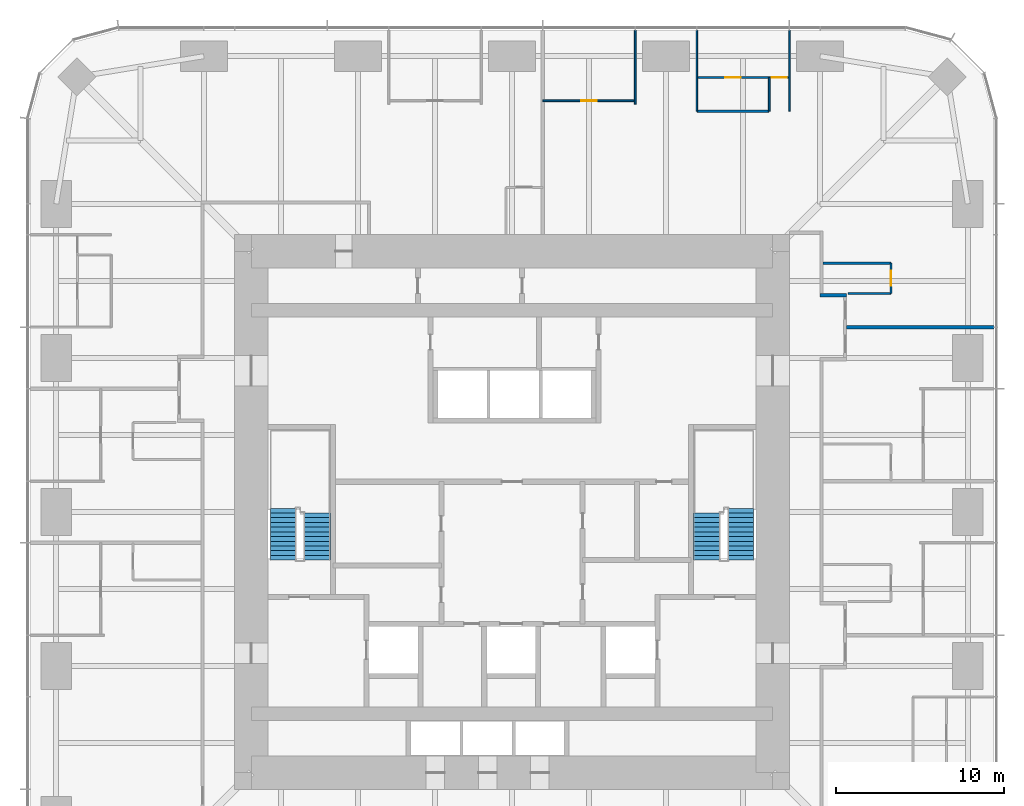
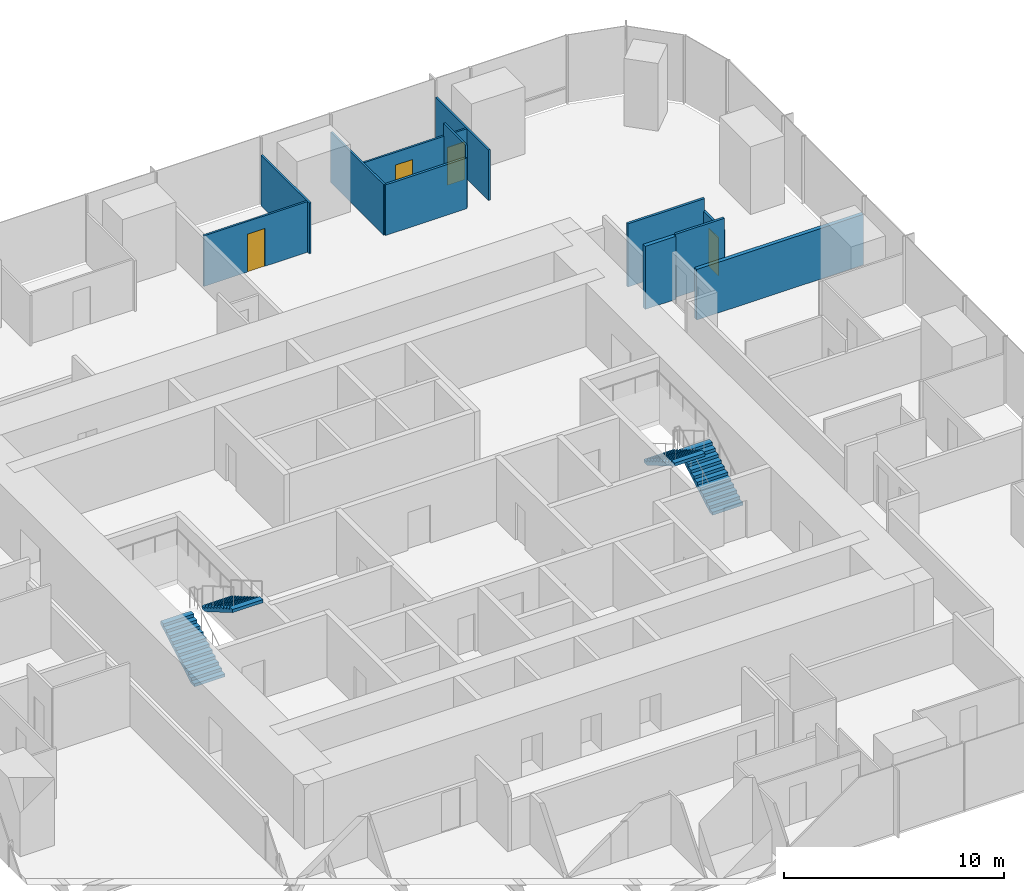
# One storey, part 12 of 13: 12 walls, 4 doors, 4 stair flights, 4 openings, 2 elements without a shape of their own.
"""IFC4 building model written with IfcOpenShell, lengths in metres."""

from ifc_helpers import new_model, si_unit, direction, frame, frame_2d, origin, place, context, subcontext, project, spatial, polyline, rectangle, outline, extrude, material, layer, layer_set, type_object, element, fill, aggregate, save


model = new_model("IFC4")

# Units and contexts
model_context = context("Model", 3, precision=1e-05, world=origin(), true_north=direction((0.0, 1.0)))
body_context = subcontext(model_context, "Body", "Model", "MODEL_VIEW")
ifc_project = project(units=[si_unit("LENGTHUNIT", "METRE"), si_unit("AREAUNIT", "SQUARE_METRE"), si_unit("VOLUMEUNIT", "CUBIC_METRE"), si_unit("PLANEANGLEUNIT", "RADIAN"), si_unit("MASSUNIT", "GRAM", prefix="KILO")], contexts=[model_context])

# Site, building, storey
site_placement = place(None, origin())
site = spatial("IfcSite", under=ifc_project, at=site_placement, CompositionType="ELEMENT")
building_placement = place(site_placement, origin())
building = spatial("IfcBuilding", under=site, at=building_placement, Name="Khuree Lantern Residences", CompositionType="ELEMENT")
storey_placement = place(building_placement, frame((0.0, 0.0, 141.0)))
storey = spatial("IfcBuildingStorey", under=building, at=storey_placement, Name="L35", CompositionType="ELEMENT", Elevation=141.0)

# Wall
ifc_material_1 = material(Name="Moisture-resistant gypsum board on steel studs", Category="steel")
ifc_layer_1 = layer(ifc_material_1, 0.125)
ifc_layer_set_1 = layer_set([ifc_layer_1], Name="BATHROOM WALL BTW125")
wall_type_1 = type_object("IfcWallType", Name="BATHROOM WALL BTW125", PredefinedType="PARTITIONING", material=ifc_layer_set_1)
wall_1_placement = place(storey_placement, frame((15.2880859375, 23.829833984375, 0.0), z_axis=(0.0, 0.0, 1.0), x_axis=(-1.0, 0.0, 0.0)))
element("IfcWall", 1, at=wall_1_placement, inside=storey, type_object=wall_type_1, Name="L35 BATHROOM WALL 03", PredefinedType="PARTITIONING", context=body_context, shape_type="SweptSolid", body=[
    extrude(rectangle(XDim=4.296142578125, YDim=0.125, at=frame_2d((2.14794921875, 0.0))), origin(), (0.0, 0.0, 1.0), 2.81005859375),
])

# Wall, opening, door
wall_2_placement = place(storey_placement, frame((22.52978515625, 12.991943359375, 0.0), z_axis=(0.0, 0.0, 1.0), x_axis=(0.0, 1.0, 0.0)))
wall_2 = element("IfcWall", 2, at=wall_2_placement, inside=storey, type_object=wall_type_1, Name="L35 BATHROOM WALL 03", PredefinedType="PARTITIONING", context=body_context, shape_type="SweptSolid", body=[
    extrude(rectangle(XDim=1.800048828125, YDim=0.125, at=frame_2d((0.89990234375, 0.0))), origin(), (0.0, 0.0, 1.0), 2.81005859375),
])
opening_1_placement = place(wall_2_placement, frame((0.449951171875, 0.0, 0.0)))
opening_1 = element("IfcOpeningElement", 3, at=opening_1_placement, cuts=wall_2, Name="Opening 35-035", PredefinedType="OPENING", context=body_context, shape_type="SweptSolid", body=[
    extrude(rectangle(XDim=0.89990234375, YDim=2.10009765625, at=frame_2d((0.449951171875, 1.050048828125))), frame((0.0, 0.072509765625, 0.0), z_axis=(0.0, -1.0, 0.0), x_axis=(1.0, 0.0, 0.0)), (0.0, 0.0, 1.0), 0.14501953125),
])
ifc_material_2 = material(Name="Timber door leaf in hardwood frame", Category="wood")
door_type_1 = type_object("IfcDoorType", Name="BATHROOM DOOR 900X2100", OperationType="SINGLE_SWING_LEFT", PredefinedType="DOOR", material=ifc_material_2)
door_1_placement = place(opening_1_placement, origin())
door_1 = element("IfcDoor", 4, at=door_1_placement, inside=storey, type_object=door_type_1, Name="Bathroom door 35-035", OperationType="SINGLE_SWING_LEFT", OverallHeight=2.10009765625, OverallWidth=0.89990234375, PredefinedType="DOOR", context=body_context, shape_type="SweptSolid", body=[
    extrude(rectangle(XDim=0.89990234375, YDim=2.10009765625, at=frame_2d((0.449951171875, 1.050048828125))), frame((0.0, 0.02490234375, 0.0), z_axis=(0.0, -1.0, 0.0), x_axis=(1.0, 0.0, 0.0)), (0.0, 0.0, 1.0), 0.050048828125),
])
fill(opening_1, door_1)

# Walls
wall_3_placement = place(storey_placement, frame((19.969970703125, 12.991943359375, 0.0), z_axis=(0.0, 0.0, 1.0), x_axis=(1.0, 0.0, 0.0)))
element("IfcWall", 5, at=wall_3_placement, inside=storey, type_object=wall_type_1, Name="L35 BATHROOM WALL 03", PredefinedType="PARTITIONING", context=body_context, shape_type="SweptSolid", body=[
    extrude(rectangle(XDim=2.559814453125, YDim=0.125, at=frame_2d((1.27978515625, 0.0))), origin(), (0.0, 0.0, 1.0), 3.5),
])
wall_4_placement = place(storey_placement, frame((18.5, 14.7919921875, 0.0), z_axis=(0.0, 0.0, 1.0), x_axis=(1.0, 0.0, 0.0)))
element("IfcWall", 6, at=wall_4_placement, inside=storey, type_object=wall_type_1, Name="L35 BATHROOM WALL 03", PredefinedType="PARTITIONING", context=body_context, shape_type="SweptSolid", body=[
    extrude(rectangle(XDim=4.02978515625, YDim=0.125, at=frame_2d((2.014892578125, 0.0))), origin(), (0.0, 0.0, 1.0), 3.5),
])
ifc_material_3 = material(Name="Gypsum board on steel studs", Category="steel")
ifc_layer_2 = layer(ifc_material_3, 0.199951171875)
ifc_layer_set_2 = layer_set([ifc_layer_2], Name="CORRIDOR WALL CRW200 EI 60")
wall_type_2 = type_object("IfcWallType", Name="CORRIDOR WALL CRW200 EI 60", PredefinedType="PARTITIONING", material=ifc_layer_set_2)
wall_5_placement = place(storey_placement, frame((18.300048828125, 12.89208984375, 0.0), z_axis=(0.0, 0.0, 1.0), x_axis=(1.0, 0.0, 0.0)))
element("IfcWall", 7, at=wall_5_placement, inside=storey, type_object=wall_type_2, Name="L35 CORRIDOR ALCOVE WALL EAST", PredefinedType="PARTITIONING", context=body_context, shape_type="SweptSolid", body=[
    extrude(rectangle(XDim=1.599853515625, YDim=0.199951171875, at=frame_2d((0.7998046875, 0.0))), origin(), (0.0, 0.0, 1.0), 3.5),
])
ifc_layer_3 = layer(ifc_material_3, 0.199951171875)
ifc_layer_set_3 = layer_set([ifc_layer_3], Name="DEMISING WALL DMW200 EI 90")
wall_type_3 = type_object("IfcWallType", Name="DEMISING WALL DMW200 EI 90", PredefinedType="PARTITIONING", material=ifc_layer_set_3)
wall_6_placement = place(storey_placement, frame((19.89990234375, 10.991943359375, 0.0), z_axis=(0.0, 0.0, 1.0), x_axis=(1.0, 0.0, 0.0)))
element("IfcWall", 8, at=wall_6_placement, inside=storey, type_object=wall_type_3, Name="L35 DEMISING WALL 03", PredefinedType="PARTITIONING", context=body_context, shape_type="SweptSolid", body=[
    extrude(rectangle(XDim=8.75, YDim=0.199951171875, at=frame_2d((4.375, 0.0))), origin(), (0.0, 0.0, 1.0), 2.81005859375),
])
ifc_layer_4 = layer(ifc_material_3, 0.10009765625)
ifc_layer_set_4 = layer_set([ifc_layer_4], Name="PARTITION PT100")
wall_type_4 = type_object("IfcWallType", Name="PARTITION PT100", PredefinedType="PARTITIONING", material=ifc_layer_set_4)
for number, where, z_axis, x_axis, name in (
    (9, (16.488037109375, 23.829833984375, 0.0), (0.0, 0.0, 1.0), (0.0, 1.0, 0.0), "L35 PARTITION 03"),
    (10, (10.991943359375, 23.829833984375, 0.0), (0.0, 0.0, 1.0), (0.0, 1.0, 0.0), "L35 PARTITION 03"),
):
    element("IfcWall", number, at=place(storey_placement, frame(where, z_axis=z_axis, x_axis=x_axis)), inside=storey, type_object=wall_type_4, Name=name, PredefinedType="PARTITIONING", context=body_context, shape_type="SweptSolid", body=[
        extrude(rectangle(XDim=4.820068359375, YDim=0.10009765625, at=frame_2d((2.41015625, 0.0))), origin(), (0.0, 0.0, 1.0), 2.81005859375),
    ])
wall_7_placement = place(storey_placement, frame((7.327880859375, 24.25, 0.0), z_axis=(0.0, 0.0, 1.0), x_axis=(0.0, 1.0, 0.0)))
element("IfcWall", 11, at=wall_7_placement, inside=storey, type_object=wall_type_4, Name="L35 PARTITION 03", PredefinedType="PARTITIONING", context=body_context, shape_type="SweptSolid", body=[
    extrude(rectangle(XDim=4.39990234375, YDim=0.10009765625, at=frame_2d((2.199951171875, 0.0))), origin(), (0.0, 0.0, 1.0), 2.81005859375),
])

# Wall, openings, doors
wall_8_placement = place(storey_placement, frame((16.488037109375, 25.829833984375, 0.0), z_axis=(0.0, 0.0, 1.0), x_axis=(-1.0, 0.0, 0.0)))
wall_8 = element("IfcWall", 12, at=wall_8_placement, inside=storey, type_object=wall_type_4, Name="L35 PARTITION 03", PredefinedType="PARTITIONING", context=body_context, shape_type="SweptSolid", body=[
    extrude(rectangle(XDim=5.49609375, YDim=0.10009765625, at=frame_2d((2.748046875, 0.0))), origin(), (0.0, 0.0, 1.0), 2.81005859375),
])
opening_2_placement = place(wall_8_placement, frame((0.14990234375, 0.0, 0.0)))
opening_2 = element("IfcOpeningElement", 13, at=opening_2_placement, cuts=wall_8, Name="Opening 35-032", PredefinedType="OPENING", context=body_context, shape_type="SweptSolid", body=[
    extrude(rectangle(XDim=0.89990234375, YDim=2.10009765625, at=frame_2d((0.449951171875, 1.050048828125))), frame((0.0, 0.06005859375, 0.0), z_axis=(0.0, -1.0, 0.0), x_axis=(1.0, 0.0, 0.0)), (0.0, 0.0, 1.0), 0.1201171875),
])
opening_3_placement = place(wall_8_placement, frame((2.89794921875, 0.0, 0.0)))
opening_3 = element("IfcOpeningElement", 14, at=opening_3_placement, cuts=wall_8, Name="Opening 35-033", PredefinedType="OPENING", context=body_context, shape_type="SweptSolid", body=[
    extrude(rectangle(XDim=0.89990234375, YDim=2.10009765625, at=frame_2d((0.449951171875, 1.050048828125))), frame((0.0, 0.06005859375, 0.0), z_axis=(0.0, -1.0, 0.0), x_axis=(1.0, 0.0, 0.0)), (0.0, 0.0, 1.0), 0.1201171875),
])
door_2_placement = place(opening_3_placement, origin())
door_2 = element("IfcDoor", 15, at=door_2_placement, inside=storey, type_object=door_type_1, Name="Bathroom door 35-033", OperationType="SINGLE_SWING_LEFT", OverallHeight=2.10009765625, OverallWidth=0.89990234375, PredefinedType="DOOR", context=body_context, shape_type="SweptSolid", body=[
    extrude(rectangle(XDim=0.89990234375, YDim=2.10009765625, at=frame_2d((0.449951171875, 1.050048828125))), frame((0.0, 0.02490234375, 0.0), z_axis=(0.0, -1.0, 0.0), x_axis=(1.0, 0.0, 0.0)), (0.0, 0.0, 1.0), 0.050048828125),
])
fill(opening_3, door_2)
door_type_2 = type_object("IfcDoorType", Name="BEDROOM DOOR 900X2100", OperationType="SINGLE_SWING_LEFT", PredefinedType="DOOR", material=ifc_material_2)
door_3_placement = place(opening_2_placement, origin())
door_3 = element("IfcDoor", 16, at=door_3_placement, inside=storey, type_object=door_type_2, Name="Bedroom door 35-032", OperationType="SINGLE_SWING_LEFT", OverallHeight=2.10009765625, OverallWidth=0.89990234375, PredefinedType="DOOR", context=body_context, shape_type="SweptSolid", body=[
    extrude(rectangle(XDim=0.89990234375, YDim=2.10009765625, at=frame_2d((0.449951171875, 1.050048828125))), frame((0.0, 0.02490234375, 0.0), z_axis=(0.0, -1.0, 0.0), x_axis=(1.0, 0.0, 0.0)), (0.0, 0.0, 1.0), 0.050048828125),
])
fill(opening_2, door_3)

# Wall
wall_9_placement = place(storey_placement, frame((15.2880859375, 23.829833984375, 0.0), z_axis=(0.0, 0.0, 1.0), x_axis=(0.0, 1.0, 0.0)))
element("IfcWall", 17, at=wall_9_placement, inside=storey, type_object=wall_type_4, Name="L35 PARTITION 03", PredefinedType="PARTITIONING", context=body_context, shape_type="SweptSolid", body=[
    extrude(rectangle(XDim=2.0, YDim=0.10009765625, at=frame_2d((1.0, 0.0))), origin(), (0.0, 0.0, 1.0), 3.5),
])

# Wall, opening, door
wall_10_placement = place(storey_placement, frame((7.327880859375, 24.449951171875, 0.0), z_axis=(0.0, 0.0, 1.0), x_axis=(-1.0, 0.0, 0.0)))
wall_10 = element("IfcWall", 18, at=wall_10_placement, inside=storey, type_object=wall_type_4, Name="L35 PARTITION 03", PredefinedType="PARTITIONING", context=body_context, shape_type="SweptSolid", body=[
    extrude(rectangle(XDim=5.495849609375, YDim=0.10009765625, at=frame_2d((2.748046875, 0.0))), origin(), (0.0, 0.0, 1.0), 2.81005859375),
])
opening_4_placement = place(wall_10_placement, frame((2.298095703125, 0.0, 0.0)))
opening_4 = element("IfcOpeningElement", 19, at=opening_4_placement, cuts=wall_10, Name="Opening 35-034", PredefinedType="OPENING", context=body_context, shape_type="SweptSolid", body=[
    extrude(rectangle(XDim=0.89990234375, YDim=2.10009765625, at=frame_2d((0.449951171875, 1.050048828125))), frame((0.0, 0.06005859375, 0.0), z_axis=(0.0, -1.0, 0.0), x_axis=(1.0, 0.0, 0.0)), (0.0, 0.0, 1.0), 0.1201171875),
])
door_type_3 = type_object("IfcDoorType", Name="BEDROOM DOOR 900X2100 RIGHT HAND", OperationType="SINGLE_SWING_RIGHT", PredefinedType="DOOR", material=ifc_material_2)
door_4_placement = place(opening_4_placement, origin())
door_4 = element("IfcDoor", 20, at=door_4_placement, inside=storey, type_object=door_type_3, Name="Bedroom door 35-034", OperationType="SINGLE_SWING_RIGHT", OverallHeight=2.10009765625, OverallWidth=0.89990234375, PredefinedType="DOOR", context=body_context, shape_type="SweptSolid", body=[
    extrude(rectangle(XDim=0.89990234375, YDim=2.10009765625, at=frame_2d((0.449951171875, 1.050048828125))), frame((0.0, 0.02490234375, 0.0), z_axis=(0.0, -1.0, 0.0), x_axis=(1.0, 0.0, 0.0)), (0.0, 0.0, 1.0), 0.050048828125),
])
fill(opening_4, door_4)

# Stair, stair flights
ifc_material_4 = material(Name="Concrete C40/50", Category="concrete")
stair_type = type_object("IfcStairType", Name="STAIR ST1 HALF TURN 3600", PredefinedType="HALF_TURN_STAIR", material=ifc_material_4)
stair_1_placement = place(storey_placement, origin())
stair_1 = element("IfcStair", 21, at=stair_1_placement, inside=storey, type_object=stair_type, Name="Stair ST1", PredefinedType="HALF_TURN_STAIR")
stair_flight_type = type_object("IfcStairFlightType", Name="STAIR FLIGHT SF1 1600", PredefinedType="STRAIGHT", material=ifc_material_4)
stair_flight_1_placement = place(storey_placement, frame((-13.60009765625, -2.860107421875, 0.0), z_axis=(0.0, 0.0, 1.0), x_axis=(0.0, 1.0, 0.0)))
stair_flight_1 = element("IfcStairFlight", 22, at=stair_flight_1_placement, type_object=stair_flight_type, Name="ST1 flight 1", NumberOfRisers=12, NumberOfTreads=11, PredefinedType="STRAIGHT", RiserHeight=0.163043478, TreadLength=0.28, context=body_context, shape_type="SweptSolid", body=[
    extrude(outline(polyline([(0.0, 0.0), (0.0, 0.1630859375), (0.280029296875, 0.1630859375), (0.280029296875, 0.326171875), (0.56005859375, 0.326171875), (0.56005859375, 0.489013671875), (0.840087890625, 0.489013671875), (0.840087890625, 0.652099609375), (1.1201171875, 0.652099609375), (1.1201171875, 0.815185546875), (1.39990234375, 0.815185546875), (1.39990234375, 0.978271484375), (1.679931640625, 0.978271484375), (1.679931640625, 1.141357421875), (1.9599609375, 1.141357421875), (1.9599609375, 1.304443359375), (2.239990234375, 1.304443359375), (2.239990234375, 1.46728515625), (2.52001953125, 1.46728515625), (2.52001953125, 1.63037109375), (2.800048828125, 1.63037109375), (2.800048828125, 1.79345703125), (3.080078125, 1.79345703125), (3.080078125, 1.95654296875), (3.080078125, 1.6201171875), (0.2978515625, 0.0), (0.0, 0.0)])), frame((0.0, 0.800048828125, 0.0), z_axis=(0.0, -1.0, 0.0), x_axis=(1.0, 0.0, 0.0)), (0.0, 0.0, 1.0), 1.60009765625),
])
stair_flight_2_placement = place(storey_placement, frame((-11.60009765625, -0.06005859375, 1.95654296875), z_axis=(0.0, 0.0, 1.0), x_axis=(0.0, -1.0, 0.0)))
stair_flight_2 = element("IfcStairFlight", 23, at=stair_flight_2_placement, type_object=stair_flight_type, Name="ST1 flight 2", NumberOfRisers=11, NumberOfTreads=10, PredefinedType="STRAIGHT", RiserHeight=0.163043478, TreadLength=0.28, context=body_context, shape_type="SweptSolid", body=[
    extrude(outline(polyline([(0.0, 0.0), (0.0, 0.1630859375), (0.280029296875, 0.1630859375), (0.280029296875, 0.326171875), (0.56005859375, 0.326171875), (0.56005859375, 0.489013671875), (0.840087890625, 0.489013671875), (0.840087890625, 0.652099609375), (1.1201171875, 0.652099609375), (1.1201171875, 0.815185546875), (1.39990234375, 0.815185546875), (1.39990234375, 0.978271484375), (1.679931640625, 0.978271484375), (1.679931640625, 1.141357421875), (1.9599609375, 1.141357421875), (1.9599609375, 1.304443359375), (2.239990234375, 1.304443359375), (2.239990234375, 1.46728515625), (2.52001953125, 1.46728515625), (2.52001953125, 1.63037109375), (2.800048828125, 1.63037109375), (2.800048828125, 1.79345703125), (2.800048828125, 1.45703125), (0.2978515625, 0.0), (0.0, 0.0)])), frame((0.0, 0.800048828125, 0.0), z_axis=(0.0, -1.0, 0.0), x_axis=(1.0, 0.0, 0.0)), (0.0, 0.0, 1.0), 1.60009765625),
])
aggregate(stair_1, [stair_flight_1, stair_flight_2])

stair_2_placement = place(storey_placement, origin())
stair_2 = element("IfcStair", 24, at=stair_2_placement, inside=storey, type_object=stair_type, Name="Stair ST2", PredefinedType="HALF_TURN_STAIR")
stair_flight_3_placement = place(storey_placement, frame((13.60009765625, -2.860107421875, 0.0), z_axis=(0.0, 0.0, 1.0), x_axis=(0.0, 1.0, 0.0)))
stair_flight_3 = element("IfcStairFlight", 25, at=stair_flight_3_placement, type_object=stair_flight_type, Name="ST2 flight 1", NumberOfRisers=12, NumberOfTreads=11, PredefinedType="STRAIGHT", RiserHeight=0.163043478, TreadLength=0.28, context=body_context, shape_type="SweptSolid", body=[
    extrude(outline(polyline([(0.0, 0.0), (0.0, 0.1630859375), (0.280029296875, 0.1630859375), (0.280029296875, 0.326171875), (0.56005859375, 0.326171875), (0.56005859375, 0.489013671875), (0.840087890625, 0.489013671875), (0.840087890625, 0.652099609375), (1.1201171875, 0.652099609375), (1.1201171875, 0.815185546875), (1.39990234375, 0.815185546875), (1.39990234375, 0.978271484375), (1.679931640625, 0.978271484375), (1.679931640625, 1.141357421875), (1.9599609375, 1.141357421875), (1.9599609375, 1.304443359375), (2.239990234375, 1.304443359375), (2.239990234375, 1.46728515625), (2.52001953125, 1.46728515625), (2.52001953125, 1.63037109375), (2.800048828125, 1.63037109375), (2.800048828125, 1.79345703125), (3.080078125, 1.79345703125), (3.080078125, 1.95654296875), (3.080078125, 1.6201171875), (0.2978515625, 0.0), (0.0, 0.0)])), frame((0.0, 0.800048828125, 0.0), z_axis=(0.0, -1.0, 0.0), x_axis=(1.0, 0.0, 0.0)), (0.0, 0.0, 1.0), 1.60009765625),
])
stair_flight_4_placement = place(storey_placement, frame((11.60009765625, -0.06005859375, 1.95654296875), z_axis=(0.0, 0.0, 1.0), x_axis=(0.0, -1.0, 0.0)))
stair_flight_4 = element("IfcStairFlight", 26, at=stair_flight_4_placement, type_object=stair_flight_type, Name="ST2 flight 2", NumberOfRisers=11, NumberOfTreads=10, PredefinedType="STRAIGHT", RiserHeight=0.163043478, TreadLength=0.28, context=body_context, shape_type="SweptSolid", body=[
    extrude(outline(polyline([(0.0, 0.0), (0.0, 0.1630859375), (0.280029296875, 0.1630859375), (0.280029296875, 0.326171875), (0.56005859375, 0.326171875), (0.56005859375, 0.489013671875), (0.840087890625, 0.489013671875), (0.840087890625, 0.652099609375), (1.1201171875, 0.652099609375), (1.1201171875, 0.815185546875), (1.39990234375, 0.815185546875), (1.39990234375, 0.978271484375), (1.679931640625, 0.978271484375), (1.679931640625, 1.141357421875), (1.9599609375, 1.141357421875), (1.9599609375, 1.304443359375), (2.239990234375, 1.304443359375), (2.239990234375, 1.46728515625), (2.52001953125, 1.46728515625), (2.52001953125, 1.63037109375), (2.800048828125, 1.63037109375), (2.800048828125, 1.79345703125), (2.800048828125, 1.45703125), (0.2978515625, 0.0), (0.0, 0.0)])), frame((0.0, 0.800048828125, 0.0), z_axis=(0.0, -1.0, 0.0), x_axis=(1.0, 0.0, 0.0)), (0.0, 0.0, 1.0), 1.60009765625),
])
aggregate(stair_2, [stair_flight_3, stair_flight_4])

save(model, "model.ifc")
